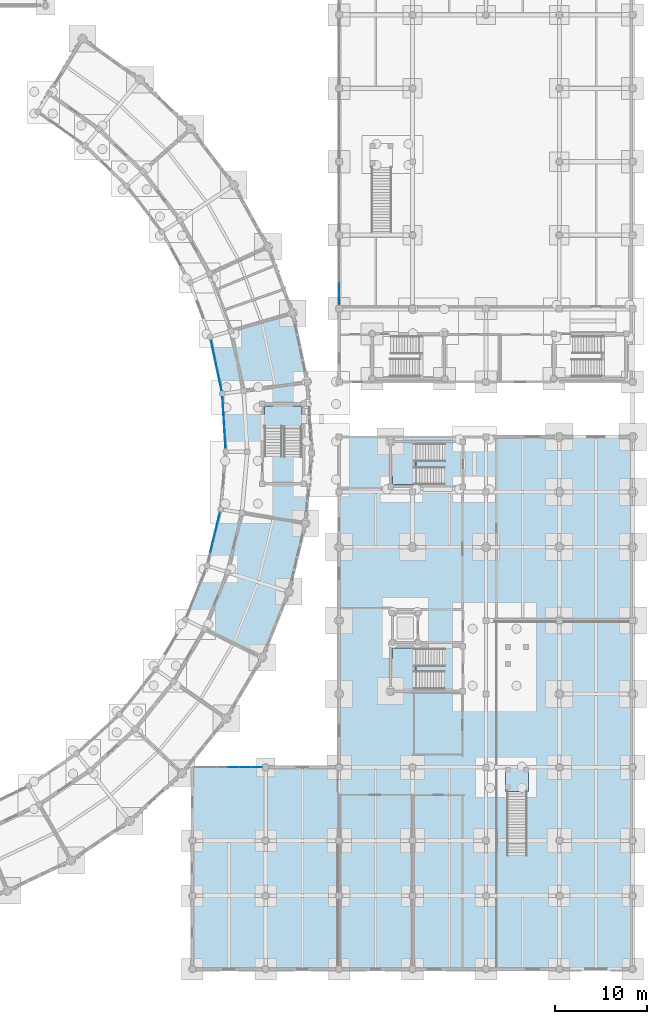
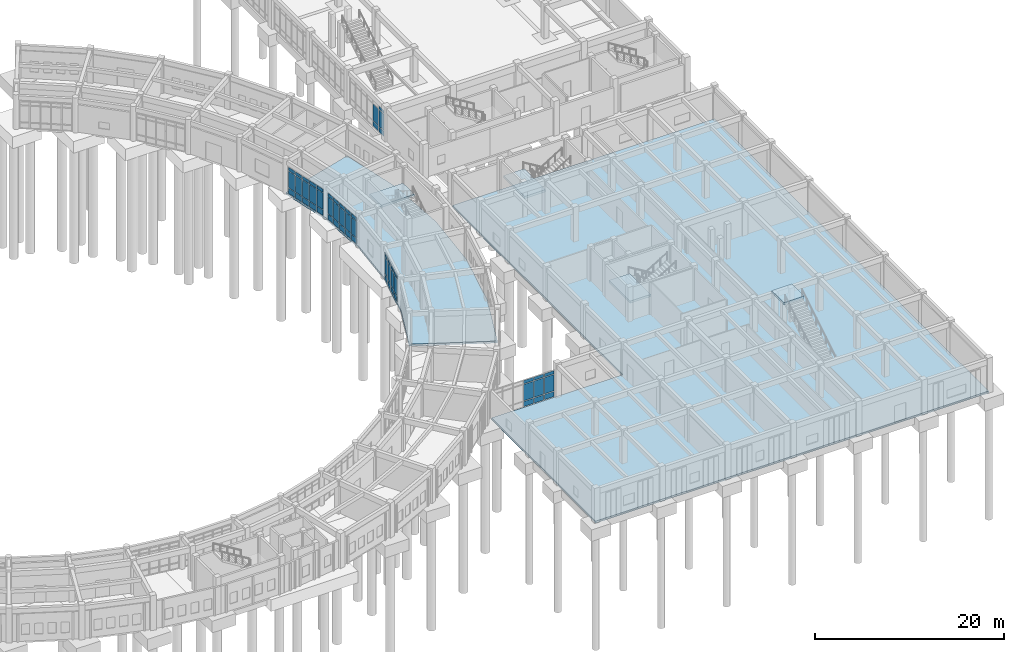
# One storey, part 112 of 153: 56 plates, 6 slabs, 9 elements without a shape of their own.
"""IFC4 building model written with IfcOpenShell, lengths in metres."""

from ifc_helpers import new_model, si_unit, direction, frame, origin, origin_2d, place, context, subcontext, project, spatial, polyline, rectangle, outline, extrude, material, layer, layer_set, type_object, element, aggregate, save


model = new_model("IFC4")

# Units and contexts
model_context = context("Model", 3, precision=1e-05, world=origin(), true_north=direction((0.0, 1.0)))
body_context = subcontext(model_context, "Body", "Model", "MODEL_VIEW")
ifc_project = project(units=[si_unit("LENGTHUNIT", "METRE"), si_unit("AREAUNIT", "SQUARE_METRE"), si_unit("VOLUMEUNIT", "CUBIC_METRE"), si_unit("PLANEANGLEUNIT", "RADIAN"), si_unit("MASSUNIT", "GRAM", prefix="KILO")], contexts=[model_context])

# Site, building, storey
site_placement = place(None, origin())
site = spatial("IfcSite", under=ifc_project, at=site_placement, CompositionType="ELEMENT")
building_placement = place(site_placement, origin())
building = spatial("IfcBuilding", under=site, at=building_placement, Name="Celadon Cloister-Ring School", CompositionType="ELEMENT")
storey_placement = place(building_placement, origin())
storey = spatial("IfcBuildingStorey", under=building, at=storey_placement, Name="L00", CompositionType="ELEMENT", Elevation=0.0)

# Curtain wall, plates
ifc_material_1 = material(Name="Aluminium EN AW-6063 T6", Category="aluminium")
curtain_wall_type_1 = type_object("IfcCurtainWallType", Name="CW-07", PredefinedType="USERDEFINED", material=ifc_material_1)
curtain_wall_1_placement = place(storey_placement, origin())
curtain_wall_1 = element("IfcCurtainWall", 1, at=curtain_wall_1_placement, inside=storey, type_object=curtain_wall_type_1, Name="Curtain Wall 0175", ObjectType="CURTAIN WALL", PredefinedType="USERDEFINED")
ifc_material_2 = material(Name="Tempered laminated insulating glass", Category="glass")
ifc_layer_1 = layer(ifc_material_2, 0.02001953125)
ifc_layer_set_1 = layer_set([ifc_layer_1], Name="Tempered laminated insulating glass")
plate_type_1 = type_object("IfcPlateType", Name="CPN-01", PredefinedType="CURTAIN_PANEL", material=ifc_layer_set_1)
plate_1_placement = place(storey_placement, frame((142.0, 74.982177734375, 0.090087890625), z_axis=(0.0, 0.0, 1.0), x_axis=(0.0, 1.0, 0.0)))
plate_1 = element("IfcPlate", 2, at=plate_1_placement, type_object=plate_type_1, Name="CW-07 panel 1.1", PredefinedType="CURTAIN_PANEL", context=body_context, shape_type="SweptSolid", body=[
    extrude(rectangle(XDim=1.07421875, YDim=0.02001953125, at=origin_2d()), origin(), (0.0, 0.0, 1.0), 0.6650390625),
])
plate_2_placement = place(storey_placement, frame((142.0, 74.982177734375, 0.8447265625), z_axis=(0.0, 0.0, 1.0), x_axis=(0.0, 1.0, 0.0)))
plate_2 = element("IfcPlate", 3, at=plate_2_placement, type_object=plate_type_1, Name="CW-07 panel 1.2", PredefinedType="CURTAIN_PANEL", context=body_context, shape_type="SweptSolid", body=[
    extrude(rectangle(XDim=1.07421875, YDim=0.02001953125, at=origin_2d()), origin(), (0.0, 0.0, 1.0), 2.110107421875),
])
plate_3_placement = place(storey_placement, frame((142.0, 74.982177734375, 3.044921875), z_axis=(0.0, 0.0, 1.0), x_axis=(0.0, 1.0, 0.0)))
plate_3 = element("IfcPlate", 4, at=plate_3_placement, type_object=plate_type_1, Name="CW-07 panel 1.3", PredefinedType="CURTAIN_PANEL", context=body_context, shape_type="SweptSolid", body=[
    extrude(rectangle(XDim=1.07421875, YDim=0.02001953125, at=origin_2d()), origin(), (0.0, 0.0, 1.0), 0.4150390625),
])
plate_4_placement = place(storey_placement, frame((142.0, 76.175048828125, 0.090087890625), z_axis=(0.0, 0.0, 1.0), x_axis=(0.0, 1.0, 0.0)))
plate_4 = element("IfcPlate", 5, at=plate_4_placement, type_object=plate_type_1, Name="CW-07 panel 2.1", PredefinedType="CURTAIN_PANEL", context=body_context, shape_type="SweptSolid", body=[
    extrude(rectangle(XDim=1.12158203125, YDim=0.02001953125, at=origin_2d()), origin(), (0.0, 0.0, 1.0), 0.6650390625),
])
plate_5_placement = place(storey_placement, frame((142.0, 76.175048828125, 0.8447265625), z_axis=(0.0, 0.0, 1.0), x_axis=(0.0, 1.0, 0.0)))
plate_5 = element("IfcPlate", 6, at=plate_5_placement, type_object=plate_type_1, Name="CW-07 panel 2.2", PredefinedType="CURTAIN_PANEL", context=body_context, shape_type="SweptSolid", body=[
    extrude(rectangle(XDim=1.12158203125, YDim=0.02001953125, at=origin_2d()), origin(), (0.0, 0.0, 1.0), 2.110107421875),
])
aggregate(curtain_wall_1, [plate_1, plate_2, plate_3, plate_4, plate_5])

ifc_material_3 = material(Name="Aluminium EN AW-6063 T6", Category="aluminium")
curtain_wall_type_2 = type_object("IfcCurtainWallType", Name="CW-10", PredefinedType="USERDEFINED", material=ifc_material_3)
curtain_wall_2_placement = place(storey_placement, origin())
curtain_wall_2 = element("IfcCurtainWall", 7, at=curtain_wall_2_placement, inside=storey, type_object=curtain_wall_type_2, Name="Curtain Wall 0189", ObjectType="CURTAIN WALL", PredefinedType="USERDEFINED")
plate_6_placement = place(storey_placement, frame((130.502197265625, 24.0, 0.090087890625), z_axis=(0.0, 0.0, 1.0), x_axis=(1.0, 0.0, 0.0)))
plate_6 = element("IfcPlate", 8, at=plate_6_placement, type_object=plate_type_1, Name="CW-10 panel 4.1", PredefinedType="CURTAIN_PANEL", context=body_context, shape_type="SweptSolid", body=[
    extrude(rectangle(XDim=1.174072265625, YDim=0.02001953125, at=origin_2d()), origin(), (0.0, 0.0, 1.0), 0.6650390625),
])
plate_7_placement = place(storey_placement, frame((130.502197265625, 24.0, 0.8447265625), z_axis=(0.0, 0.0, 1.0), x_axis=(1.0, 0.0, 0.0)))
plate_7 = element("IfcPlate", 9, at=plate_7_placement, type_object=plate_type_1, Name="CW-10 panel 4.2", PredefinedType="CURTAIN_PANEL", context=body_context, shape_type="SweptSolid", body=[
    extrude(rectangle(XDim=1.174072265625, YDim=0.02001953125, at=origin_2d()), origin(), (0.0, 0.0, 1.0), 2.110107421875),
])
plate_8_placement = place(storey_placement, frame((130.502197265625, 24.0, 3.044921875), z_axis=(0.0, 0.0, 1.0), x_axis=(1.0, 0.0, 0.0)))
plate_8 = element("IfcPlate", 10, at=plate_8_placement, type_object=plate_type_1, Name="CW-10 panel 4.3", PredefinedType="CURTAIN_PANEL", context=body_context, shape_type="SweptSolid", body=[
    extrude(rectangle(XDim=1.174072265625, YDim=0.02001953125, at=origin_2d()), origin(), (0.0, 0.0, 1.0), 0.4150390625),
])
plate_9_placement = place(storey_placement, frame((131.771240234375, 24.0, 0.090087890625), z_axis=(0.0, 0.0, 1.0), x_axis=(1.0, 0.0, 0.0)))
plate_9 = element("IfcPlate", 11, at=plate_9_placement, type_object=plate_type_1, Name="CW-10 panel 5.1", PredefinedType="CURTAIN_PANEL", context=body_context, shape_type="SweptSolid", body=[
    extrude(rectangle(XDim=1.174072265625, YDim=0.02001953125, at=origin_2d()), origin(), (0.0, 0.0, 1.0), 0.6650390625),
])
plate_10_placement = place(storey_placement, frame((131.771240234375, 24.0, 0.8447265625), z_axis=(0.0, 0.0, 1.0), x_axis=(1.0, 0.0, 0.0)))
plate_10 = element("IfcPlate", 12, at=plate_10_placement, type_object=plate_type_1, Name="CW-10 panel 5.2", PredefinedType="CURTAIN_PANEL", context=body_context, shape_type="SweptSolid", body=[
    extrude(rectangle(XDim=1.174072265625, YDim=0.02001953125, at=origin_2d()), origin(), (0.0, 0.0, 1.0), 2.110107421875),
])
plate_11_placement = place(storey_placement, frame((131.771240234375, 24.0, 3.044921875), z_axis=(0.0, 0.0, 1.0), x_axis=(1.0, 0.0, 0.0)))
plate_11 = element("IfcPlate", 13, at=plate_11_placement, type_object=plate_type_1, Name="CW-10 panel 5.3", PredefinedType="CURTAIN_PANEL", context=body_context, shape_type="SweptSolid", body=[
    extrude(rectangle(XDim=1.174072265625, YDim=0.02001953125, at=origin_2d()), origin(), (0.0, 0.0, 1.0), 0.4150390625),
])
plate_12_placement = place(storey_placement, frame((133.0166015625, 24.0, 0.090087890625), z_axis=(0.0, 0.0, 1.0), x_axis=(1.0, 0.0, 0.0)))
plate_12 = element("IfcPlate", 14, at=plate_12_placement, type_object=plate_type_1, Name="CW-10 panel 6.1", PredefinedType="CURTAIN_PANEL", context=body_context, shape_type="SweptSolid", body=[
    extrude(rectangle(XDim=1.126708984375, YDim=0.02001953125, at=origin_2d()), origin(), (0.0, 0.0, 1.0), 0.6650390625),
])
plate_13_placement = place(storey_placement, frame((133.0166015625, 24.0, 0.8447265625), z_axis=(0.0, 0.0, 1.0), x_axis=(1.0, 0.0, 0.0)))
plate_13 = element("IfcPlate", 15, at=plate_13_placement, type_object=plate_type_1, Name="CW-10 panel 6.2", PredefinedType="CURTAIN_PANEL", context=body_context, shape_type="SweptSolid", body=[
    extrude(rectangle(XDim=1.126708984375, YDim=0.02001953125, at=origin_2d()), origin(), (0.0, 0.0, 1.0), 2.110107421875),
])
plate_14_placement = place(storey_placement, frame((133.0166015625, 24.0, 3.044921875), z_axis=(0.0, 0.0, 1.0), x_axis=(1.0, 0.0, 0.0)))
plate_14 = element("IfcPlate", 16, at=plate_14_placement, type_object=plate_type_1, Name="CW-10 panel 6.3", PredefinedType="CURTAIN_PANEL", context=body_context, shape_type="SweptSolid", body=[
    extrude(rectangle(XDim=1.126708984375, YDim=0.02001953125, at=origin_2d()), origin(), (0.0, 0.0, 1.0), 0.4150390625),
])
aggregate(curtain_wall_2, [plate_6, plate_7, plate_8, plate_9, plate_10, plate_11, plate_12, plate_13, plate_14])

ifc_material_4 = material(Name="Aluminium EN AW-6063 T6", Category="aluminium")
curtain_wall_type_3 = type_object("IfcCurtainWallType", Name="CW-01", PredefinedType="USERDEFINED", material=ifc_material_4)
curtain_wall_3_placement = place(storey_placement, origin())
curtain_wall_3 = element("IfcCurtainWall", 17, at=curtain_wall_3_placement, inside=storey, type_object=curtain_wall_type_3, Name="Curtain Wall 0016", ObjectType="CURTAIN WALL", PredefinedType="USERDEFINED")
ifc_material_5 = material(Name="Tempered laminated insulating glass", Category="glass")
ifc_layer_2 = layer(ifc_material_5, 0.028076171875)
ifc_layer_set_2 = layer_set([ifc_layer_2], Name="Tempered laminated insulating glass")
plate_type_2 = type_object("IfcPlateType", Name="CPN-02", PredefinedType="CURTAIN_PANEL", material=ifc_layer_set_2)
plate_15_placement = place(storey_placement, frame((128.086181640625, 47.9423828125, 0.074951171875), z_axis=(0.0, 0.0, 1.0), x_axis=(0.234100157469, 0.972212485146, 0.0)))
plate_15 = element("IfcPlate", 18, at=plate_15_placement, type_object=plate_type_2, Name="CW-01 panel 2.1", PredefinedType="CURTAIN_PANEL", context=body_context, shape_type="SweptSolid", body=[
    extrude(rectangle(XDim=1.0537109375, YDim=0.028076171875, at=origin_2d()), origin(), (0.0, 0.0, 1.0), 0.6875),
])
plate_16_placement = place(storey_placement, frame((128.086181640625, 47.9423828125, 0.83740234375), z_axis=(0.0, 0.0, 1.0), x_axis=(0.234100157469, 0.972212485146, 0.0)))
plate_16 = element("IfcPlate", 19, at=plate_16_placement, type_object=plate_type_2, Name="CW-01 panel 2.2", PredefinedType="CURTAIN_PANEL", context=body_context, shape_type="SweptSolid", body=[
    extrude(rectangle(XDim=1.0537109375, YDim=0.028076171875, at=origin_2d()), origin(), (0.0, 0.0, 1.0), 2.125),
])
plate_17_placement = place(storey_placement, frame((128.086181640625, 47.9423828125, 3.03759765625), z_axis=(0.0, 0.0, 1.0), x_axis=(0.234100157469, 0.972212485146, 0.0)))
plate_17 = element("IfcPlate", 20, at=plate_17_placement, type_object=plate_type_2, Name="CW-01 panel 2.3", PredefinedType="CURTAIN_PANEL", context=body_context, shape_type="SweptSolid", body=[
    extrude(rectangle(XDim=1.0537109375, YDim=0.028076171875, at=origin_2d()), origin(), (0.0, 0.0, 1.0), 0.4375),
])
plate_18_placement = place(storey_placement, frame((128.3515625, 49.04443359375, 0.074951171875), z_axis=(0.0, 0.0, 1.0), x_axis=(0.234100157469, 0.972212485146, 0.0)))
plate_18 = element("IfcPlate", 21, at=plate_18_placement, type_object=plate_type_2, Name="CW-01 panel 3.1", PredefinedType="CURTAIN_PANEL", context=body_context, shape_type="SweptSolid", body=[
    extrude(rectangle(XDim=1.0537109375, YDim=0.028076171875, at=origin_2d()), origin(), (0.0, 0.0, 1.0), 0.6875),
])
plate_19_placement = place(storey_placement, frame((128.3515625, 49.04443359375, 0.83740234375), z_axis=(0.0, 0.0, 1.0), x_axis=(0.234100157469, 0.972212485146, 0.0)))
plate_19 = element("IfcPlate", 22, at=plate_19_placement, type_object=plate_type_2, Name="CW-01 panel 3.2", PredefinedType="CURTAIN_PANEL", context=body_context, shape_type="SweptSolid", body=[
    extrude(rectangle(XDim=1.0537109375, YDim=0.028076171875, at=origin_2d()), origin(), (0.0, 0.0, 1.0), 2.125),
])
plate_20_placement = place(storey_placement, frame((128.3515625, 49.04443359375, 3.03759765625), z_axis=(0.0, 0.0, 1.0), x_axis=(0.234100157469, 0.972212485146, 0.0)))
plate_20 = element("IfcPlate", 23, at=plate_20_placement, type_object=plate_type_2, Name="CW-01 panel 3.3", PredefinedType="CURTAIN_PANEL", context=body_context, shape_type="SweptSolid", body=[
    extrude(rectangle(XDim=1.0537109375, YDim=0.028076171875, at=origin_2d()), origin(), (0.0, 0.0, 1.0), 0.4375),
])
plate_21_placement = place(storey_placement, frame((128.616943359375, 50.146728515625, 0.074951171875), z_axis=(0.0, 0.0, 1.0), x_axis=(0.234100157469, 0.972212485146, 0.0)))
plate_21 = element("IfcPlate", 24, at=plate_21_placement, type_object=plate_type_2, Name="CW-01 panel 4.1", PredefinedType="CURTAIN_PANEL", context=body_context, shape_type="SweptSolid", body=[
    extrude(rectangle(XDim=1.0537109375, YDim=0.028076171875, at=origin_2d()), origin(), (0.0, 0.0, 1.0), 0.6875),
])
plate_22_placement = place(storey_placement, frame((128.616943359375, 50.146728515625, 0.83740234375), z_axis=(0.0, 0.0, 1.0), x_axis=(0.234100157469, 0.972212485146, 0.0)))
plate_22 = element("IfcPlate", 25, at=plate_22_placement, type_object=plate_type_2, Name="CW-01 panel 4.2", PredefinedType="CURTAIN_PANEL", context=body_context, shape_type="SweptSolid", body=[
    extrude(rectangle(XDim=1.0537109375, YDim=0.028076171875, at=origin_2d()), origin(), (0.0, 0.0, 1.0), 2.125),
])
plate_23_placement = place(storey_placement, frame((128.616943359375, 50.146728515625, 3.03759765625), z_axis=(0.0, 0.0, 1.0), x_axis=(0.234100157469, 0.972212485146, 0.0)))
plate_23 = element("IfcPlate", 26, at=plate_23_placement, type_object=plate_type_2, Name="CW-01 panel 4.3", PredefinedType="CURTAIN_PANEL", context=body_context, shape_type="SweptSolid", body=[
    extrude(rectangle(XDim=1.0537109375, YDim=0.028076171875, at=origin_2d()), origin(), (0.0, 0.0, 1.0), 0.4375),
])
plate_24_placement = place(storey_placement, frame((128.877685546875, 51.2294921875, 0.074951171875), z_axis=(0.0, 0.0, 1.0), x_axis=(0.234100157469, 0.972212485146, 0.0)))
plate_24 = element("IfcPlate", 27, at=plate_24_placement, type_object=plate_type_2, Name="CW-01 panel 5.1", PredefinedType="CURTAIN_PANEL", context=body_context, shape_type="SweptSolid", body=[
    extrude(rectangle(XDim=1.013671875, YDim=0.028076171875, at=origin_2d()), origin(), (0.0, 0.0, 1.0), 0.6875),
])
plate_25_placement = place(storey_placement, frame((128.877685546875, 51.2294921875, 0.83740234375), z_axis=(0.0, 0.0, 1.0), x_axis=(0.234100157469, 0.972212485146, 0.0)))
plate_25 = element("IfcPlate", 28, at=plate_25_placement, type_object=plate_type_2, Name="CW-01 panel 5.2", PredefinedType="CURTAIN_PANEL", context=body_context, shape_type="SweptSolid", body=[
    extrude(rectangle(XDim=1.013671875, YDim=0.028076171875, at=origin_2d()), origin(), (0.0, 0.0, 1.0), 2.125),
])
plate_26_placement = place(storey_placement, frame((128.877685546875, 51.2294921875, 3.03759765625), z_axis=(0.0, 0.0, 1.0), x_axis=(0.234100157469, 0.972212485146, 0.0)))
plate_26 = element("IfcPlate", 29, at=plate_26_placement, type_object=plate_type_2, Name="CW-01 panel 5.3", PredefinedType="CURTAIN_PANEL", context=body_context, shape_type="SweptSolid", body=[
    extrude(rectangle(XDim=1.013671875, YDim=0.028076171875, at=origin_2d()), origin(), (0.0, 0.0, 1.0), 0.4375),
])
aggregate(curtain_wall_3, [plate_15, plate_16, plate_17, plate_18, plate_19, plate_20, plate_21, plate_22, plate_23, plate_24, plate_25, plate_26])

curtain_wall_4_placement = place(storey_placement, origin())
curtain_wall_4 = element("IfcCurtainWall", 30, at=curtain_wall_4_placement, inside=storey, type_object=curtain_wall_type_3, Name="Curtain Wall 0017", ObjectType="CURTAIN WALL", PredefinedType="USERDEFINED")
plate_27_placement = place(storey_placement, frame((129.590576171875, 59.31982421875, 0.074951171875), z_axis=(0.0, 0.0, 1.0), x_axis=(-0.060148893965, 0.998189416171, 0.0)))
plate_27 = element("IfcPlate", 31, at=plate_27_placement, type_object=plate_type_2, Name="CW-01 panel 1.1", PredefinedType="CURTAIN_PANEL", context=body_context, shape_type="SweptSolid", body=[
    extrude(rectangle(XDim=1.013916015625, YDim=0.028076171875, at=origin_2d()), origin(), (0.0, 0.0, 1.0), 0.6875),
])
plate_28_placement = place(storey_placement, frame((129.590576171875, 59.31982421875, 0.83740234375), z_axis=(0.0, 0.0, 1.0), x_axis=(-0.060148893965, 0.998189416171, 0.0)))
plate_28 = element("IfcPlate", 32, at=plate_28_placement, type_object=plate_type_2, Name="CW-01 panel 1.2", PredefinedType="CURTAIN_PANEL", context=body_context, shape_type="SweptSolid", body=[
    extrude(rectangle(XDim=1.013916015625, YDim=0.028076171875, at=origin_2d()), origin(), (0.0, 0.0, 1.0), 2.125),
])
plate_29_placement = place(storey_placement, frame((129.590576171875, 59.31982421875, 3.03759765625), z_axis=(0.0, 0.0, 1.0), x_axis=(-0.060148893965, 0.998189416171, 0.0)))
plate_29 = element("IfcPlate", 33, at=plate_29_placement, type_object=plate_type_2, Name="CW-01 panel 1.3", PredefinedType="CURTAIN_PANEL", context=body_context, shape_type="SweptSolid", body=[
    extrude(rectangle(XDim=1.013916015625, YDim=0.028076171875, at=origin_2d()), origin(), (0.0, 0.0, 1.0), 0.4375),
])
plate_30_placement = place(storey_placement, frame((129.523681640625, 60.431640625, 0.074951171875), z_axis=(0.0, 0.0, 1.0), x_axis=(-0.060148893965, 0.998189416171, 0.0)))
plate_30 = element("IfcPlate", 34, at=plate_30_placement, type_object=plate_type_2, Name="CW-01 panel 2.1", PredefinedType="CURTAIN_PANEL", context=body_context, shape_type="SweptSolid", body=[
    extrude(rectangle(XDim=1.053955078125, YDim=0.028076171875, at=origin_2d()), origin(), (0.0, 0.0, 1.0), 0.6875),
])
plate_31_placement = place(storey_placement, frame((129.523681640625, 60.431640625, 0.83740234375), z_axis=(0.0, 0.0, 1.0), x_axis=(-0.060148893965, 0.998189416171, 0.0)))
plate_31 = element("IfcPlate", 35, at=plate_31_placement, type_object=plate_type_2, Name="CW-01 panel 2.2", PredefinedType="CURTAIN_PANEL", context=body_context, shape_type="SweptSolid", body=[
    extrude(rectangle(XDim=1.053955078125, YDim=0.028076171875, at=origin_2d()), origin(), (0.0, 0.0, 1.0), 2.125),
])
plate_32_placement = place(storey_placement, frame((129.523681640625, 60.431640625, 3.03759765625), z_axis=(0.0, 0.0, 1.0), x_axis=(-0.060148893965, 0.998189416171, 0.0)))
plate_32 = element("IfcPlate", 36, at=plate_32_placement, type_object=plate_type_2, Name="CW-01 panel 2.3", PredefinedType="CURTAIN_PANEL", context=body_context, shape_type="SweptSolid", body=[
    extrude(rectangle(XDim=1.053955078125, YDim=0.028076171875, at=origin_2d()), origin(), (0.0, 0.0, 1.0), 0.4375),
])
plate_33_placement = place(storey_placement, frame((129.45556640625, 61.5634765625, 0.074951171875), z_axis=(0.0, 0.0, 1.0), x_axis=(-0.060148893965, 0.998189416171, 0.0)))
plate_33 = element("IfcPlate", 37, at=plate_33_placement, type_object=plate_type_2, Name="CW-01 panel 3.1", PredefinedType="CURTAIN_PANEL", context=body_context, shape_type="SweptSolid", body=[
    extrude(rectangle(XDim=1.053955078125, YDim=0.028076171875, at=origin_2d()), origin(), (0.0, 0.0, 1.0), 0.6875),
])
plate_34_placement = place(storey_placement, frame((129.45556640625, 61.5634765625, 0.83740234375), z_axis=(0.0, 0.0, 1.0), x_axis=(-0.060148893965, 0.998189416171, 0.0)))
plate_34 = element("IfcPlate", 38, at=plate_34_placement, type_object=plate_type_2, Name="CW-01 panel 3.2", PredefinedType="CURTAIN_PANEL", context=body_context, shape_type="SweptSolid", body=[
    extrude(rectangle(XDim=1.053955078125, YDim=0.028076171875, at=origin_2d()), origin(), (0.0, 0.0, 1.0), 2.125),
])
plate_35_placement = place(storey_placement, frame((129.45556640625, 61.5634765625, 3.03759765625), z_axis=(0.0, 0.0, 1.0), x_axis=(-0.060148893965, 0.998189416171, 0.0)))
plate_35 = element("IfcPlate", 39, at=plate_35_placement, type_object=plate_type_2, Name="CW-01 panel 3.3", PredefinedType="CURTAIN_PANEL", context=body_context, shape_type="SweptSolid", body=[
    extrude(rectangle(XDim=1.053955078125, YDim=0.028076171875, at=origin_2d()), origin(), (0.0, 0.0, 1.0), 0.4375),
])
plate_36_placement = place(storey_placement, frame((129.38720703125, 62.6953125, 0.074951171875), z_axis=(0.0, 0.0, 1.0), x_axis=(-0.060148893965, 0.998189416171, 0.0)))
plate_36 = element("IfcPlate", 40, at=plate_36_placement, type_object=plate_type_2, Name="CW-01 panel 4.1", PredefinedType="CURTAIN_PANEL", context=body_context, shape_type="SweptSolid", body=[
    extrude(rectangle(XDim=1.053955078125, YDim=0.028076171875, at=origin_2d()), origin(), (0.0, 0.0, 1.0), 0.6875),
])
plate_37_placement = place(storey_placement, frame((129.38720703125, 62.6953125, 0.83740234375), z_axis=(0.0, 0.0, 1.0), x_axis=(-0.060148893965, 0.998189416171, 0.0)))
plate_37 = element("IfcPlate", 41, at=plate_37_placement, type_object=plate_type_2, Name="CW-01 panel 4.2", PredefinedType="CURTAIN_PANEL", context=body_context, shape_type="SweptSolid", body=[
    extrude(rectangle(XDim=1.053955078125, YDim=0.028076171875, at=origin_2d()), origin(), (0.0, 0.0, 1.0), 2.125),
])
plate_38_placement = place(storey_placement, frame((129.38720703125, 62.6953125, 3.03759765625), z_axis=(0.0, 0.0, 1.0), x_axis=(-0.060148893965, 0.998189416171, 0.0)))
plate_38 = element("IfcPlate", 42, at=plate_38_placement, type_object=plate_type_2, Name="CW-01 panel 4.3", PredefinedType="CURTAIN_PANEL", context=body_context, shape_type="SweptSolid", body=[
    extrude(rectangle(XDim=1.053955078125, YDim=0.028076171875, at=origin_2d()), origin(), (0.0, 0.0, 1.0), 0.4375),
])
plate_39_placement = place(storey_placement, frame((129.3203125, 63.80712890625, 0.074951171875), z_axis=(0.0, 0.0, 1.0), x_axis=(-0.060148893965, 0.998189416171, 0.0)))
plate_39 = element("IfcPlate", 43, at=plate_39_placement, type_object=plate_type_2, Name="CW-01 panel 5.1", PredefinedType="CURTAIN_PANEL", context=body_context, shape_type="SweptSolid", body=[
    extrude(rectangle(XDim=1.013916015625, YDim=0.028076171875, at=origin_2d()), origin(), (0.0, 0.0, 1.0), 0.6875),
])
plate_40_placement = place(storey_placement, frame((129.3203125, 63.80712890625, 0.83740234375), z_axis=(0.0, 0.0, 1.0), x_axis=(-0.060148893965, 0.998189416171, 0.0)))
plate_40 = element("IfcPlate", 44, at=plate_40_placement, type_object=plate_type_2, Name="CW-01 panel 5.2", PredefinedType="CURTAIN_PANEL", context=body_context, shape_type="SweptSolid", body=[
    extrude(rectangle(XDim=1.013916015625, YDim=0.028076171875, at=origin_2d()), origin(), (0.0, 0.0, 1.0), 2.125),
])
plate_41_placement = place(storey_placement, frame((129.3203125, 63.80712890625, 3.03759765625), z_axis=(0.0, 0.0, 1.0), x_axis=(-0.060148893965, 0.998189416171, 0.0)))
plate_41 = element("IfcPlate", 45, at=plate_41_placement, type_object=plate_type_2, Name="CW-01 panel 5.3", PredefinedType="CURTAIN_PANEL", context=body_context, shape_type="SweptSolid", body=[
    extrude(rectangle(XDim=1.013916015625, YDim=0.028076171875, at=origin_2d()), origin(), (0.0, 0.0, 1.0), 0.4375),
])
aggregate(curtain_wall_4, [plate_27, plate_28, plate_29, plate_30, plate_31, plate_32, plate_33, plate_34, plate_35, plate_36, plate_37, plate_38, plate_39, plate_40, plate_41])

curtain_wall_5_placement = place(storey_placement, origin())
curtain_wall_5 = element("IfcCurtainWall", 46, at=curtain_wall_5_placement, inside=storey, type_object=curtain_wall_type_3, Name="Curtain Wall 0018", ObjectType="CURTAIN WALL", PredefinedType="USERDEFINED")
plate_42_placement = place(storey_placement, frame((129.076416015625, 65.609130859375, 0.074951171875), z_axis=(0.0, 0.0, 1.0), x_axis=(-0.207094964304, 0.978320844999, 0.0)))
plate_42 = element("IfcPlate", 47, at=plate_42_placement, type_object=plate_type_2, Name="CW-01 panel 1.1", PredefinedType="CURTAIN_PANEL", context=body_context, shape_type="SweptSolid", body=[
    extrude(rectangle(XDim=1.013671875, YDim=0.028076171875, at=origin_2d()), origin(), (0.0, 0.0, 1.0), 0.6875),
])
plate_43_placement = place(storey_placement, frame((129.076416015625, 65.609130859375, 0.83740234375), z_axis=(0.0, 0.0, 1.0), x_axis=(-0.207094964304, 0.978320844999, 0.0)))
plate_43 = element("IfcPlate", 48, at=plate_43_placement, type_object=plate_type_2, Name="CW-01 panel 1.2", PredefinedType="CURTAIN_PANEL", context=body_context, shape_type="SweptSolid", body=[
    extrude(rectangle(XDim=1.013671875, YDim=0.028076171875, at=origin_2d()), origin(), (0.0, 0.0, 1.0), 2.125),
])
plate_44_placement = place(storey_placement, frame((129.076416015625, 65.609130859375, 3.03759765625), z_axis=(0.0, 0.0, 1.0), x_axis=(-0.207094964304, 0.978320844999, 0.0)))
plate_44 = element("IfcPlate", 49, at=plate_44_placement, type_object=plate_type_2, Name="CW-01 panel 1.3", PredefinedType="CURTAIN_PANEL", context=body_context, shape_type="SweptSolid", body=[
    extrude(rectangle(XDim=1.013671875, YDim=0.028076171875, at=origin_2d()), origin(), (0.0, 0.0, 1.0), 0.4375),
])
plate_45_placement = place(storey_placement, frame((128.845703125, 66.69873046875, 0.074951171875), z_axis=(0.0, 0.0, 1.0), x_axis=(-0.207094964304, 0.978320844999, 0.0)))
plate_45 = element("IfcPlate", 50, at=plate_45_placement, type_object=plate_type_2, Name="CW-01 panel 2.1", PredefinedType="CURTAIN_PANEL", context=body_context, shape_type="SweptSolid", body=[
    extrude(rectangle(XDim=1.0537109375, YDim=0.028076171875, at=origin_2d()), origin(), (0.0, 0.0, 1.0), 0.6875),
])
plate_46_placement = place(storey_placement, frame((128.845703125, 66.69873046875, 0.83740234375), z_axis=(0.0, 0.0, 1.0), x_axis=(-0.207094964304, 0.978320844999, 0.0)))
plate_46 = element("IfcPlate", 51, at=plate_46_placement, type_object=plate_type_2, Name="CW-01 panel 2.2", PredefinedType="CURTAIN_PANEL", context=body_context, shape_type="SweptSolid", body=[
    extrude(rectangle(XDim=1.0537109375, YDim=0.028076171875, at=origin_2d()), origin(), (0.0, 0.0, 1.0), 2.125),
])
plate_47_placement = place(storey_placement, frame((128.845703125, 66.69873046875, 3.03759765625), z_axis=(0.0, 0.0, 1.0), x_axis=(-0.207094964304, 0.978320844999, 0.0)))
plate_47 = element("IfcPlate", 52, at=plate_47_placement, type_object=plate_type_2, Name="CW-01 panel 2.3", PredefinedType="CURTAIN_PANEL", context=body_context, shape_type="SweptSolid", body=[
    extrude(rectangle(XDim=1.0537109375, YDim=0.028076171875, at=origin_2d()), origin(), (0.0, 0.0, 1.0), 0.4375),
])
plate_48_placement = place(storey_placement, frame((128.611083984375, 67.80810546875, 0.074951171875), z_axis=(0.0, 0.0, 1.0), x_axis=(-0.207094964304, 0.978320844999, 0.0)))
plate_48 = element("IfcPlate", 53, at=plate_48_placement, type_object=plate_type_2, Name="CW-01 panel 3.1", PredefinedType="CURTAIN_PANEL", context=body_context, shape_type="SweptSolid", body=[
    extrude(rectangle(XDim=1.0537109375, YDim=0.028076171875, at=origin_2d()), origin(), (0.0, 0.0, 1.0), 0.6875),
])
plate_49_placement = place(storey_placement, frame((128.611083984375, 67.80810546875, 0.83740234375), z_axis=(0.0, 0.0, 1.0), x_axis=(-0.207094964304, 0.978320844999, 0.0)))
plate_49 = element("IfcPlate", 54, at=plate_49_placement, type_object=plate_type_2, Name="CW-01 panel 3.2", PredefinedType="CURTAIN_PANEL", context=body_context, shape_type="SweptSolid", body=[
    extrude(rectangle(XDim=1.0537109375, YDim=0.028076171875, at=origin_2d()), origin(), (0.0, 0.0, 1.0), 2.125),
])
plate_50_placement = place(storey_placement, frame((128.611083984375, 67.80810546875, 3.03759765625), z_axis=(0.0, 0.0, 1.0), x_axis=(-0.207094964304, 0.978320844999, 0.0)))
plate_50 = element("IfcPlate", 55, at=plate_50_placement, type_object=plate_type_2, Name="CW-01 panel 3.3", PredefinedType="CURTAIN_PANEL", context=body_context, shape_type="SweptSolid", body=[
    extrude(rectangle(XDim=1.0537109375, YDim=0.028076171875, at=origin_2d()), origin(), (0.0, 0.0, 1.0), 0.4375),
])
plate_51_placement = place(storey_placement, frame((128.376220703125, 68.917236328125, 0.074951171875), z_axis=(0.0, 0.0, 1.0), x_axis=(-0.207094964304, 0.978320844999, 0.0)))
plate_51 = element("IfcPlate", 56, at=plate_51_placement, type_object=plate_type_2, Name="CW-01 panel 4.1", PredefinedType="CURTAIN_PANEL", context=body_context, shape_type="SweptSolid", body=[
    extrude(rectangle(XDim=1.0537109375, YDim=0.028076171875, at=origin_2d()), origin(), (0.0, 0.0, 1.0), 0.6875),
])
plate_52_placement = place(storey_placement, frame((128.376220703125, 68.917236328125, 0.83740234375), z_axis=(0.0, 0.0, 1.0), x_axis=(-0.207094964304, 0.978320844999, 0.0)))
plate_52 = element("IfcPlate", 57, at=plate_52_placement, type_object=plate_type_2, Name="CW-01 panel 4.2", PredefinedType="CURTAIN_PANEL", context=body_context, shape_type="SweptSolid", body=[
    extrude(rectangle(XDim=1.0537109375, YDim=0.028076171875, at=origin_2d()), origin(), (0.0, 0.0, 1.0), 2.125),
])
plate_53_placement = place(storey_placement, frame((128.376220703125, 68.917236328125, 3.03759765625), z_axis=(0.0, 0.0, 1.0), x_axis=(-0.207094964304, 0.978320844999, 0.0)))
plate_53 = element("IfcPlate", 58, at=plate_53_placement, type_object=plate_type_2, Name="CW-01 panel 4.3", PredefinedType="CURTAIN_PANEL", context=body_context, shape_type="SweptSolid", body=[
    extrude(rectangle(XDim=1.0537109375, YDim=0.028076171875, at=origin_2d()), origin(), (0.0, 0.0, 1.0), 0.4375),
])
plate_54_placement = place(storey_placement, frame((128.1455078125, 70.0068359375, 0.074951171875), z_axis=(0.0, 0.0, 1.0), x_axis=(-0.207094964304, 0.978320844999, 0.0)))
plate_54 = element("IfcPlate", 59, at=plate_54_placement, type_object=plate_type_2, Name="CW-01 panel 5.1", PredefinedType="CURTAIN_PANEL", context=body_context, shape_type="SweptSolid", body=[
    extrude(rectangle(XDim=1.013671875, YDim=0.028076171875, at=origin_2d()), origin(), (0.0, 0.0, 1.0), 0.6875),
])
plate_55_placement = place(storey_placement, frame((128.1455078125, 70.0068359375, 0.83740234375), z_axis=(0.0, 0.0, 1.0), x_axis=(-0.207094964304, 0.978320844999, 0.0)))
plate_55 = element("IfcPlate", 60, at=plate_55_placement, type_object=plate_type_2, Name="CW-01 panel 5.2", PredefinedType="CURTAIN_PANEL", context=body_context, shape_type="SweptSolid", body=[
    extrude(rectangle(XDim=1.013671875, YDim=0.028076171875, at=origin_2d()), origin(), (0.0, 0.0, 1.0), 2.125),
])
plate_56_placement = place(storey_placement, frame((128.1455078125, 70.0068359375, 3.03759765625), z_axis=(0.0, 0.0, 1.0), x_axis=(-0.207094964304, 0.978320844999, 0.0)))
plate_56 = element("IfcPlate", 61, at=plate_56_placement, type_object=plate_type_2, Name="CW-01 panel 5.3", PredefinedType="CURTAIN_PANEL", context=body_context, shape_type="SweptSolid", body=[
    extrude(rectangle(XDim=1.013671875, YDim=0.028076171875, at=origin_2d()), origin(), (0.0, 0.0, 1.0), 0.4375),
])
aggregate(curtain_wall_5, [plate_42, plate_43, plate_44, plate_45, plate_46, plate_47, plate_48, plate_49, plate_50, plate_51, plate_52, plate_53, plate_54, plate_55, plate_56])

# Slabs
ifc_material_6 = material(Name="Concrete C35/45", Category="concrete")
ifc_layer_3 = layer(ifc_material_6, 0.260009765625)
ifc_layer_set_3 = layer_set([ifc_layer_3], Name="Concrete C35/45")
slab_type_1 = type_object("IfcSlabType", Name="SL-BS1", PredefinedType="BASESLAB", material=ifc_layer_set_3)
slab_1_placement = place(storey_placement, frame((0.0, 0.0, -0.260009765625)))
element("IfcSlab", 62, at=slab_1_placement, inside=storey, type_object=slab_type_1, Name="Ring L00 Sector 0006", PredefinedType="BASESLAB", context=body_context, shape_type="SweptSolid", body=[
    extrude(outline(polyline([(133.625, 35.97705078125), (136.514892578125, 43.117919921875), (138.318115234375, 50.60693359375), (138.9951171875, 58.281005859375), (138.531005859375, 65.970947265625), (136.93505859375, 73.508056640625), (127.95703125, 70.89892578125), (129.264892578125, 64.717041015625), (129.64599609375, 58.409912109375), (129.091064453125, 52.115966796875), (127.612060546875, 45.972900390625), (125.241943359375, 40.115966796875), (133.625, 35.97705078125)])), origin(), (0.0, 0.0, 1.0), 0.260009765625),
])
slab_2_placement = place(storey_placement, frame((0.0, 0.0, -0.260009765625)))
element("IfcSlab", 63, at=slab_2_placement, inside=storey, type_object=slab_type_1, Name="Dining Pavilion Ground Slab 0063", PredefinedType="BASESLAB", context=body_context, shape_type="SweptSolid", body=[
    extrude(outline(polyline([(126.0, 2.0), (174.0, 2.0), (174.0, 60.0), (142.0, 60.0), (142.0, 24.0), (126.0, 24.0), (126.0, 2.0)])), origin(), (0.0, 0.0, 1.0), 0.260009765625),
])

# Stair, slab
ifc_material_7 = material(Name="Concrete C35/45", Category="concrete")
stair_type_1 = type_object("IfcStairType", Name="ST-01", PredefinedType="HALF_TURN_STAIR", material=ifc_material_7)
stair_1_placement = place(storey_placement, origin())
stair_1 = element("IfcStair", 64, at=stair_1_placement, inside=storey, type_object=stair_type_1, Name="Exit Stair ST-V4A L00", PredefinedType="HALF_TURN_STAIR")
ifc_material_8 = material(Name="Concrete C35/45", Category="concrete")
ifc_layer_4 = layer(ifc_material_8, 0.280029296875)
ifc_layer_set_4 = layer_set([ifc_layer_4], Name="Concrete C35/45")
slab_type_2 = type_object("IfcSlabType", Name="SL-LD1", PredefinedType="LANDING", material=ifc_layer_set_4)
slab_3_placement = place(storey_placement, frame((0.0, 0.0, 1.969970703125)))
slab_3 = element("IfcSlab", 65, at=slab_3_placement, type_object=slab_type_2, Name="ST-01 landing 1", PredefinedType="LANDING", context=body_context, shape_type="SweptSolid", body=[
    extrude(outline(polyline([(147.820068359375, 32.52001953125), (150.364990234375, 32.52001953125), (150.364990234375, 36.97998046875), (147.820068359375, 36.97998046875), (147.820068359375, 32.52001953125)])), origin(), (0.0, 0.0, 1.0), 0.280029296875),
])
aggregate(stair_1, [slab_3])

ifc_material_9 = material(Name="Concrete C35/45", Category="concrete")
stair_type_2 = type_object("IfcStairType", Name="ST-03", PredefinedType="HALF_TURN_STAIR", material=ifc_material_9)
stair_2_placement = place(storey_placement, origin())
stair_2 = element("IfcStair", 66, at=stair_2_placement, inside=storey, type_object=stair_type_2, Name="Exit Stair ST-V4B L00", PredefinedType="HALF_TURN_STAIR")
ifc_material_10 = material(Name="Concrete C35/45", Category="concrete")
ifc_layer_5 = layer(ifc_material_10, 0.300048828125)
ifc_layer_set_5 = layer_set([ifc_layer_5], Name="Concrete C35/45")
slab_type_3 = type_object("IfcSlabType", Name="SL-LD2", PredefinedType="LANDING", material=ifc_layer_set_5)
slab_4_placement = place(storey_placement, frame((0.0, 0.0, 1.949951171875)))
slab_4 = element("IfcSlab", 67, at=slab_4_placement, type_object=slab_type_3, Name="ST-03 landing 1", PredefinedType="LANDING", context=body_context, shape_type="SweptSolid", body=[
    extrude(outline(polyline([(147.820068359375, 54.820068359375), (150.364990234375, 54.820068359375), (150.364990234375, 59.280029296875), (147.820068359375, 59.280029296875), (147.820068359375, 54.820068359375)])), origin(), (0.0, 0.0, 1.0), 0.300048828125),
])
aggregate(stair_2, [slab_4])

stair_3_placement = place(storey_placement, origin())
stair_3 = element("IfcStair", 68, at=stair_3_placement, inside=storey, type_object=stair_type_2, Name="Exit Stair ST-V1E L00", PredefinedType="HALF_TURN_STAIR")
slab_5_placement = place(storey_placement, frame((0.0, 0.0, 1.949951171875)))
slab_5 = element("IfcSlab", 69, at=slab_5_placement, type_object=slab_type_3, Name="ST-03 landing 1", PredefinedType="LANDING", context=body_context, shape_type="SweptSolid", body=[
    extrude(outline(polyline([(133.85009765625, 60.9951171875), (137.929931640625, 60.9951171875), (137.929931640625, 63.39990234375), (133.85009765625, 63.39990234375), (133.85009765625, 60.9951171875)])), origin(), (0.0, 0.0, 1.0), 0.300048828125),
])
aggregate(stair_3, [slab_5])

ifc_material_11 = material(Name="Concrete C35/45", Category="concrete")
stair_type_3 = type_object("IfcStairType", Name="ST-05", PredefinedType="STRAIGHT_RUN_STAIR", material=ifc_material_11)
stair_4_placement = place(storey_placement, origin())
stair_4 = element("IfcStair", 70, at=stair_4_placement, inside=storey, type_object=stair_type_3, Name="Dining Commons Feature Stair", PredefinedType="STRAIGHT_RUN_STAIR")
slab_6_placement = place(storey_placement, frame((0.0, 0.0, 4.199951171875)))
slab_6 = element("IfcSlab", 71, at=slab_6_placement, type_object=slab_type_3, Name="ST-05 landing 1", PredefinedType="LANDING", context=body_context, shape_type="SweptSolid", body=[
    extrude(outline(polyline([(160.159912109375, 21.375), (162.639892578125, 21.375), (162.639892578125, 23.989990234375), (160.159912109375, 23.989990234375), (160.159912109375, 21.375)])), origin(), (0.0, 0.0, 1.0), 0.300048828125),
])
aggregate(stair_4, [slab_6])

save(model, "model.ifc")
